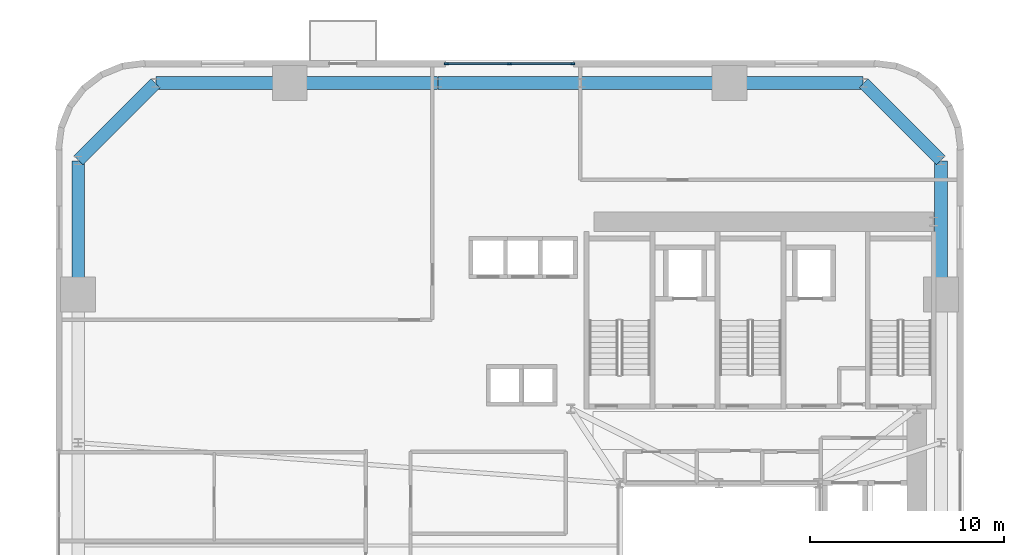
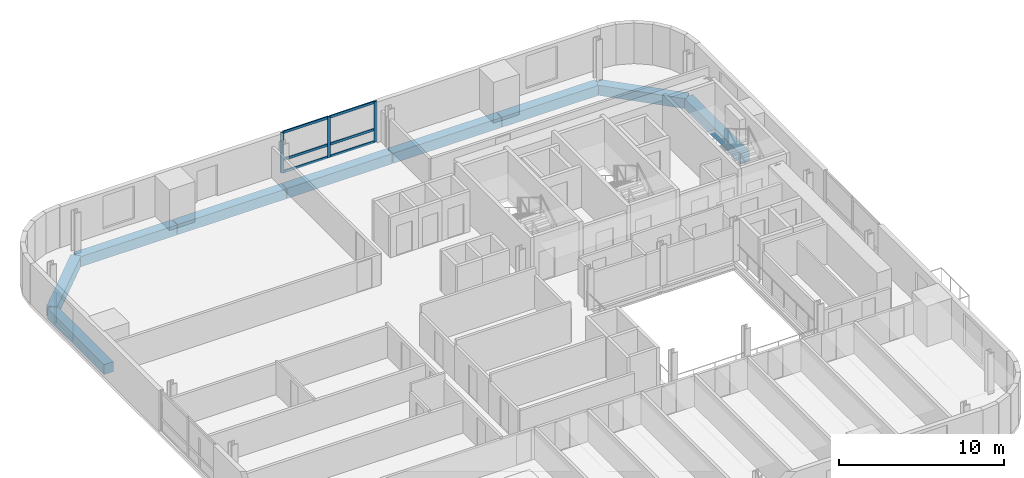
# One storey, part 4 of 13: 9 beams, 9 members, 1 element without a shape of its own.
"""IFC4 building model written with IfcOpenShell, lengths in metres."""

from ifc_helpers import new_model, si_unit, direction, frame, origin, origin_2d, place, context, subcontext, project, spatial, rectangle, extrude, source, transform, mapped, material, material_profile, profile_set, type_object, element, aggregate, save


model = new_model("IFC4")

# Units and contexts
model_context = context("Model", 3, precision=1e-05, world=origin(), true_north=direction((0.0, 1.0)))
body_context = subcontext(model_context, "Body", "Model", "MODEL_VIEW")
ifc_project = project(units=[si_unit("LENGTHUNIT", "METRE"), si_unit("AREAUNIT", "SQUARE_METRE"), si_unit("VOLUMEUNIT", "CUBIC_METRE"), si_unit("PLANEANGLEUNIT", "RADIAN"), si_unit("MASSUNIT", "GRAM", prefix="KILO")], contexts=[model_context])

# Site, building, storey
site_placement = place(None, origin())
site = spatial("IfcSite", under=ifc_project, at=site_placement, CompositionType="ELEMENT")
building_placement = place(site_placement, origin())
building = spatial("IfcBuilding", under=site, at=building_placement, Name="Vardaveli Station Tower", CompositionType="ELEMENT")
storey_placement = place(building_placement, frame((0.0, 0.0, 89.64990234375)))
storey = spatial("IfcBuildingStorey", under=building, at=storey_placement, Name="L23", CompositionType="ELEMENT", Elevation=89.64990234375)

# Beams
ifc_material_1 = material(Name="Precast concrete C45/55", Category="concrete")
ifc_material_profile_1 = material_profile(ifc_material_1, rectangle(XDim=0.64990234375, YDim=0.75, at=origin_2d()), Name="LPB 650x750")
ifc_profile_set_1 = profile_set([ifc_material_profile_1], Name="Precast concrete C45/55")
beam_type = type_object("IfcBeamType", Name="BM-LPB-750", PredefinedType="BEAM", material=ifc_profile_set_1)
shared_shape_1 = source(origin(), body_context, "Body", "SweptSolid", [
    extrude(rectangle(XDim=0.64990234375, YDim=0.75, at=origin_2d()), origin(), (0.0, 0.0, 1.0), 7.60009765625),
])
for number, where, z_axis, x_axis, name in (
    (1, (36.820068359375, 47.449951171875, -0.614990234375), (-1.0, 0.0, 0.0), (0.0, -1.0, 0.0), "RBM-L23-13"),
    (2, (21.780029296875, 47.449951171875, -0.614990234375), (-1.0, 0.0, 0.0), (0.0, -1.0, 0.0), "RBM-L23-15"),
):
    element("IfcBeam", number, at=place(storey_placement, frame(where, z_axis=z_axis, x_axis=x_axis)), inside=storey, type_object=beam_type, Name=name, PredefinedType="BEAM", context=body_context, shape_type="MappedRepresentation", body=[
        mapped(shared_shape_1, transform((0.0, 0.0, 0.0), scale=1.0)),
    ])
shared_shape_2 = source(origin(), body_context, "Body", "SweptSolid", [
    extrude(rectangle(XDim=0.64990234375, YDim=0.75, at=origin_2d()), origin(), (0.0, 0.0, 1.0), 7.35986328125),
])
beam_placement = place(storey_placement, frame((29.179931640625, 47.449951171875, -0.614990234375), z_axis=(-1.0, 0.0, 0.0), x_axis=(0.0, -1.0, 0.0)))
element("IfcBeam", 3, at=beam_placement, inside=storey, type_object=beam_type, Name="RBM-L23-14", PredefinedType="BEAM", context=body_context, shape_type="MappedRepresentation", body=[
    mapped(shared_shape_2, transform((0.0, 0.0, 0.0), scale=1.0)),
])
shared_shape_3 = source(origin(), body_context, "Body", "SweptSolid", [
    extrude(rectangle(XDim=0.64990234375, YDim=0.75, at=origin_2d()), origin(), (0.0, 0.0, 1.0), 6.869873046875),
])
for number, where, z_axis, x_axis, name in (
    (4, (47.75, 36.56005859375, -0.614990234375), (0.0, 1.0, 0.0), (-1.0, 0.0, 0.0), "RBM-L23-10"),
    (5, (43.72998046875, 47.449951171875, -0.614990234375), (-1.0, 0.0, 0.0), (0.0, -1.0, 0.0), "RBM-L23-12"),
    (6, (14.139892578125, 47.449951171875, -0.614990234375), (-1.0, 0.0, 0.0), (0.0, -1.0, 0.0), "RBM-L23-16"),
    (7, (3.25, 43.429931640625, -0.614990234375), (0.0, -1.0, 0.0), (1.0, 0.0, 0.0), "RBM-L23-18"),
):
    element("IfcBeam", number, at=place(storey_placement, frame(where, z_axis=z_axis, x_axis=x_axis)), inside=storey, type_object=beam_type, Name=name, PredefinedType="BEAM", context=body_context, shape_type="MappedRepresentation", body=[
        mapped(shared_shape_3, transform((0.0, 0.0, 0.0), scale=1.0)),
    ])
shared_shape_4 = source(origin(), body_context, "Body", "SweptSolid", [
    extrude(rectangle(XDim=0.64990234375, YDim=0.75, at=origin_2d()), origin(), (0.0, 0.0, 1.0), 5.61669921875),
])
for number, where, z_axis, x_axis, name in (
    (8, (47.73583984375, 43.464111328125, -0.614990234375), (-0.707106781187, 0.707106781187, 0.0), (-0.707106781187, -0.707106781187, 0.0), "RBM-L23-11"),
    (9, (7.23583984375, 47.435791015625, -0.614990234375), (-0.707106781187, -0.707106781187, 0.0), (0.707106781187, -0.707106781187, 0.0), "RBM-L23-17"),
):
    element("IfcBeam", number, at=place(storey_placement, frame(where, z_axis=z_axis, x_axis=x_axis)), inside=storey, type_object=beam_type, Name=name, PredefinedType="BEAM", context=body_context, shape_type="MappedRepresentation", body=[
        mapped(shared_shape_4, transform((0.0, 0.0, 0.0), scale=1.0)),
    ])

# Curtain wall, members
ifc_material_2 = material(Name="Travertine stone and solar-control glass", Category="masonry")
curtain_wall_type = type_object("IfcCurtainWallType", Name="CW-SYS-2", PredefinedType="NOTDEFINED", material=ifc_material_2)
curtain_wall_placement = place(storey_placement, origin())
curtain_wall = element("IfcCurtainWall", 10, at=curtain_wall_placement, inside=storey, type_object=curtain_wall_type, Name="CW-L23-N", PredefinedType="NOTDEFINED")
ifc_material_3 = material(Name="Anodised aluminium alloy 6063-T6", Category="aluminium")
ifc_material_profile_2 = material_profile(ifc_material_3, rectangle(XDim=0.0849609375, YDim=0.179931640625, at=origin_2d()), Name="CWT 85x180")
ifc_profile_set_2 = profile_set([ifc_material_profile_2], Name="Anodised aluminium alloy 6063-T6")
member_type_1 = type_object("IfcMemberType", Name="CW-SYS-2-TRAN", PredefinedType="NOTDEFINED", material=ifc_profile_set_2)
shared_shape_5 = source(origin(), body_context, "Body", "SweptSolid", [
    extrude(rectangle(XDim=0.0849609375, YDim=0.179931640625, at=origin_2d()), origin(), (0.0, 0.0, 1.0), 3.172607421875),
])
member_1_placement = place(storey_placement, frame((28.715087890625, 48.43994140625, 0.04248046875), z_axis=(-1.0, 0.0, 0.0), x_axis=(0.0, -1.0, 0.0)))
member_1 = element("IfcMember", 11, at=member_1_placement, type_object=member_type_1, Name="CW-2 transom 1.1", ObjectType="TRANSOM", PredefinedType="USERDEFINED", context=body_context, shape_type="MappedRepresentation", body=[
    mapped(shared_shape_5, transform((0.0, 0.0, 0.0), scale=1.0)),
])
member_2_placement = place(storey_placement, frame((28.715087890625, 48.43994140625, 0.9501953125), z_axis=(-1.0, 0.0, 0.0), x_axis=(0.0, -1.0, 0.0)))
member_2 = element("IfcMember", 12, at=member_2_placement, type_object=member_type_1, Name="CW-2 transom 1.2", ObjectType="TRANSOM", PredefinedType="USERDEFINED", context=body_context, shape_type="MappedRepresentation", body=[
    mapped(shared_shape_5, transform((0.0, 0.0, 0.0), scale=1.0)),
])
member_3_placement = place(storey_placement, frame((28.715087890625, 48.43994140625, 2.95751953125), z_axis=(-1.0, 0.0, 0.0), x_axis=(0.0, -1.0, 0.0)))
member_3 = element("IfcMember", 13, at=member_3_placement, type_object=member_type_1, Name="CW-2 transom 1.3", ObjectType="TRANSOM", PredefinedType="USERDEFINED", context=body_context, shape_type="MappedRepresentation", body=[
    mapped(shared_shape_5, transform((0.0, 0.0, 0.0), scale=1.0)),
])
member_4_placement = place(storey_placement, frame((25.45751953125, 48.43994140625, 0.04248046875), z_axis=(-1.0, 0.0, 0.0), x_axis=(0.0, -1.0, 0.0)))
member_4 = element("IfcMember", 14, at=member_4_placement, type_object=member_type_1, Name="CW-2 transom 2.1", ObjectType="TRANSOM", PredefinedType="USERDEFINED", context=body_context, shape_type="MappedRepresentation", body=[
    mapped(shared_shape_5, transform((0.0, 0.0, 0.0), scale=1.0)),
])
member_5_placement = place(storey_placement, frame((25.45751953125, 48.43994140625, 0.9501953125), z_axis=(-1.0, 0.0, 0.0), x_axis=(0.0, -1.0, 0.0)))
member_5 = element("IfcMember", 15, at=member_5_placement, type_object=member_type_1, Name="CW-2 transom 2.2", ObjectType="TRANSOM", PredefinedType="USERDEFINED", context=body_context, shape_type="MappedRepresentation", body=[
    mapped(shared_shape_5, transform((0.0, 0.0, 0.0), scale=1.0)),
])
member_6_placement = place(storey_placement, frame((25.45751953125, 48.43994140625, 2.95751953125), z_axis=(-1.0, 0.0, 0.0), x_axis=(0.0, -1.0, 0.0)))
member_6 = element("IfcMember", 16, at=member_6_placement, type_object=member_type_1, Name="CW-2 transom 2.3", ObjectType="TRANSOM", PredefinedType="USERDEFINED", context=body_context, shape_type="MappedRepresentation", body=[
    mapped(shared_shape_5, transform((0.0, 0.0, 0.0), scale=1.0)),
])
ifc_material_profile_3 = material_profile(ifc_material_3, rectangle(XDim=0.0849609375, YDim=0.219970703125, at=origin_2d()), Name="CWM 85x220")
ifc_profile_set_3 = profile_set([ifc_material_profile_3], Name="Anodised aluminium alloy 6063-T6")
member_type_2 = type_object("IfcMemberType", Name="CW-SYS-2-MULL", PredefinedType="MULLION", material=ifc_profile_set_3)
shared_shape_6 = source(origin(), body_context, "Body", "SweptSolid", [
    extrude(rectangle(XDim=0.0849609375, YDim=0.219970703125, at=origin_2d()), origin(), (0.0, 0.0, 1.0), 3.0),
])
member_7_placement = place(storey_placement, frame((28.757568359375, 48.43994140625, 0.0), z_axis=(0.0, 0.0, 1.0), x_axis=(0.0, -1.0, 0.0)))
member_7 = element("IfcMember", 17, at=member_7_placement, type_object=member_type_2, Name="CW-2 mullion 1", PredefinedType="MULLION", context=body_context, shape_type="MappedRepresentation", body=[
    mapped(shared_shape_6, transform((0.0, 0.0, 0.0), scale=1.0)),
])
member_8_placement = place(storey_placement, frame((25.5, 48.43994140625, 0.0), z_axis=(0.0, 0.0, 1.0), x_axis=(0.0, -1.0, 0.0)))
member_8 = element("IfcMember", 18, at=member_8_placement, type_object=member_type_2, Name="CW-2 mullion 2", PredefinedType="MULLION", context=body_context, shape_type="MappedRepresentation", body=[
    mapped(shared_shape_6, transform((0.0, 0.0, 0.0), scale=1.0)),
])
member_9_placement = place(storey_placement, frame((22.242431640625, 48.43994140625, 0.0), z_axis=(0.0, 0.0, 1.0), x_axis=(0.0, -1.0, 0.0)))
member_9 = element("IfcMember", 19, at=member_9_placement, type_object=member_type_2, Name="CW-2 mullion 3", PredefinedType="MULLION", context=body_context, shape_type="MappedRepresentation", body=[
    mapped(shared_shape_6, transform((0.0, 0.0, 0.0), scale=1.0)),
])
aggregate(curtain_wall, [member_7, member_8, member_9, member_1, member_2, member_3, member_4, member_5, member_6])

save(model, "model.ifc")
